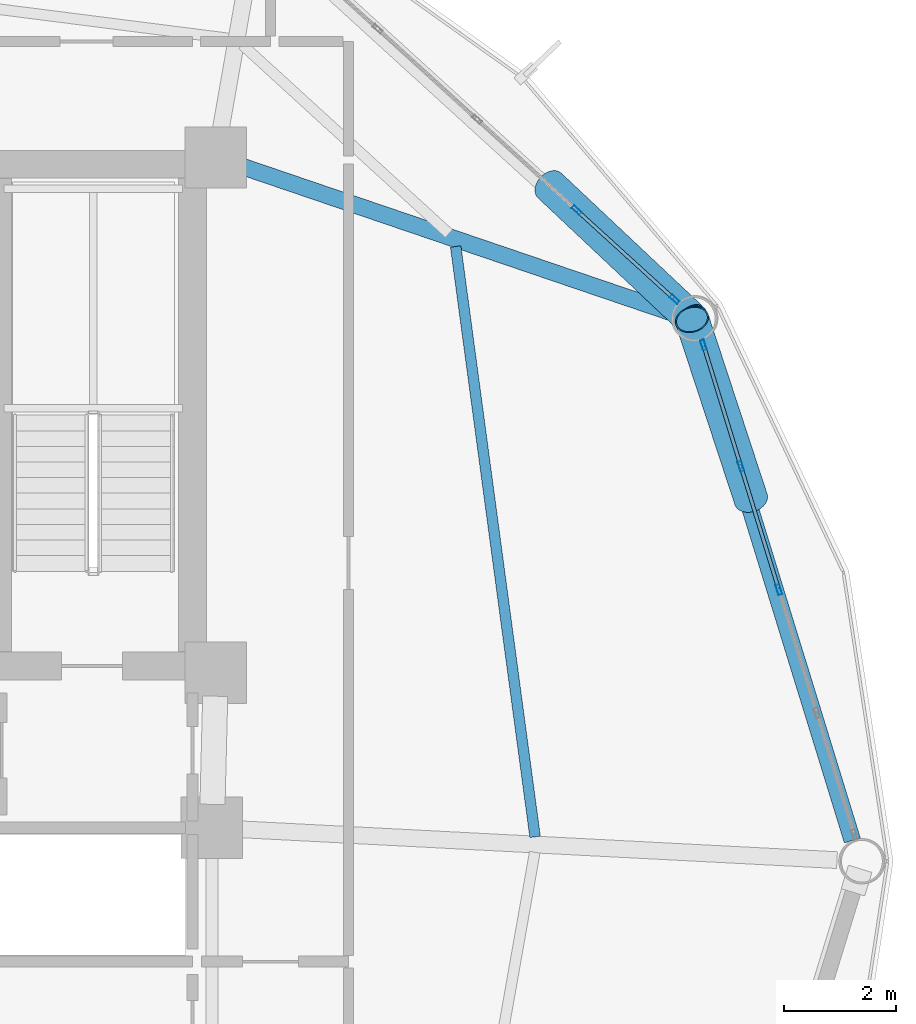
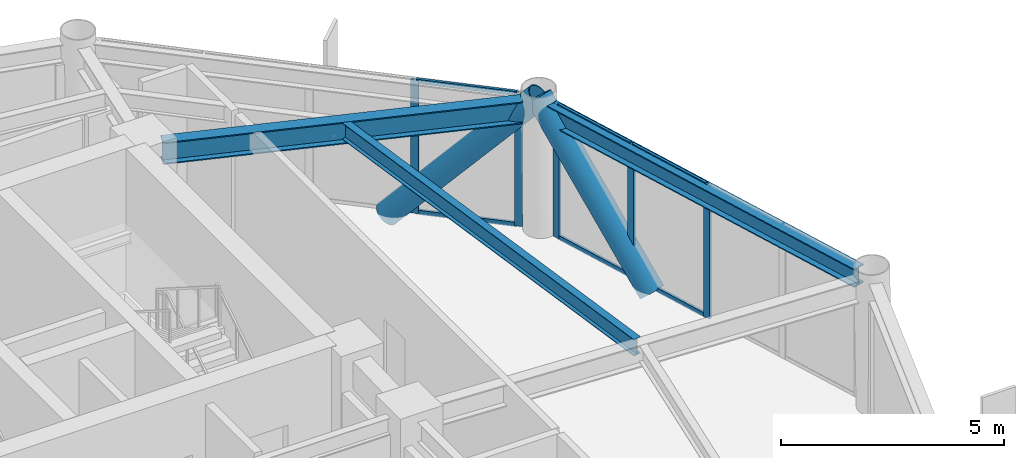
# One storey, part 13 of 23: 13 members, 3 beams, 2 elements without a shape of their own.
"""IFC4 building model written with IfcOpenShell, lengths in metres."""

from ifc_helpers import new_model, si_unit, direction, frame, origin, origin_2d, place, context, subcontext, project, spatial, hollow_rectangle, hollow_circle, i_section, extrude, material, layer, layer_set, material_profile, profile_set, type_object, element, aggregate, save


model = new_model("IFC4")

# Units and contexts
model_context = context("Model", 3, precision=1e-05, world=origin(), true_north=direction((0.0, 1.0)))
body_context = subcontext(model_context, "Body", "Model", "MODEL_VIEW")
ifc_project = project(units=[si_unit("LENGTHUNIT", "METRE"), si_unit("AREAUNIT", "SQUARE_METRE"), si_unit("VOLUMEUNIT", "CUBIC_METRE"), si_unit("PLANEANGLEUNIT", "RADIAN"), si_unit("MASSUNIT", "GRAM", prefix="KILO")], contexts=[model_context])

# Site, building, storey
site_placement = place(None, origin())
site = spatial("IfcSite", under=ifc_project, at=site_placement, CompositionType="ELEMENT")
building_placement = place(site_placement, origin())
building = spatial("IfcBuilding", under=site, at=building_placement, Name="Varnakorn Sky Granary", CompositionType="ELEMENT")
storey_placement = place(building_placement, frame((0.0, 0.0, 107.10009765625)))
storey = spatial("IfcBuildingStorey", under=building, at=storey_placement, Name="L26", CompositionType="ELEMENT", Elevation=107.10009765625)

# Beams
ifc_material_1 = material(Name="Steel S355JR", Category="steel")
ifc_material_profile_1 = material_profile(ifc_material_1, i_section(OverallWidth=0.300048828125, OverallDepth=0.60009765625, WebThickness=0.015380859375, FlangeThickness=0.030029296875, at=origin_2d()), Name="HE 600 B")
ifc_profile_set_1 = profile_set([ifc_material_profile_1], Name="Steel S355JR")
beam_type_1 = type_object("IfcBeamType", Name="BM-RAD-Z2", PredefinedType="BEAM", material=ifc_profile_set_1)
beam_1_placement = place(storey_placement, frame((8.817626953125, 12.484619140625, 3.33984375), z_axis=(0.946702018358, -0.322110677311, 0.0), x_axis=(0.322110677311, 0.946702018358, 0.0)))
element("IfcBeam", 1, at=beam_1_placement, inside=storey, type_object=beam_type_1, Name="Radial Floor Girder RG02 L26", PredefinedType="BEAM", context=body_context, shape_type="SweptSolid", body=[
    extrude(i_section(OverallWidth=0.300048828125, OverallDepth=0.60009765625, WebThickness=0.015380859375, FlangeThickness=0.030029296875, at=origin_2d()), origin(), (0.0, 0.0, 1.0), 8.20849609375),
])
ifc_material_profile_2 = material_profile(ifc_material_1, i_section(OverallWidth=0.18994140625, OverallDepth=0.449951171875, WebThickness=0.009521484375, FlangeThickness=0.0146484375, at=origin_2d()), Name="IPE 450")
ifc_profile_set_2 = profile_set([ifc_material_profile_2], Name="Steel S355JR")
beam_type_2 = type_object("IfcBeamType", Name="BM-SEC-Z2", PredefinedType="BEAM", material=ifc_profile_set_2)
beam_2_placement = place(storey_placement, frame((14.1455078125, 0.43798828125, 3.414794921875), z_axis=(-0.133301487825, 0.991075533622, 0.0), x_axis=(-0.991075533622, -0.133301487825, 0.0)))
element("IfcBeam", 2, at=beam_2_placement, inside=storey, type_object=beam_type_2, Name="Secondary Floor Chord Beam MSB01 L26", PredefinedType="BEAM", context=body_context, shape_type="SweptSolid", body=[
    extrude(i_section(OverallWidth=0.18994140625, OverallDepth=0.449951171875, WebThickness=0.009521484375, FlangeThickness=0.0146484375, at=origin_2d()), origin(), (0.0, 0.0, 1.0), 10.68115234375),
])
ifc_material_profile_3 = material_profile(ifc_material_1, i_section(OverallWidth=0.300048828125, OverallDepth=0.5, WebThickness=0.014404296875, FlangeThickness=0.028076171875, at=origin_2d()), Name="HE 500 B")
ifc_profile_set_3 = profile_set([ifc_material_profile_3], Name="Steel S355JR")
beam_type_3 = type_object("IfcBeamType", Name="BM-SPD-Z2", PredefinedType="SPANDREL", material=ifc_profile_set_3)
beam_3_placement = place(storey_placement, frame((19.834716796875, 0.374267578125, 3.389892578125), z_axis=(-0.29422848577, 0.955735108784, 0.0), x_axis=(-0.955735108784, -0.29422848577, 0.0)))
element("IfcBeam", 3, at=beam_3_placement, inside=storey, type_object=beam_type_3, Name="Perimeter Spandrel Ring Beam RB01 L26", PredefinedType="SPANDREL", context=body_context, shape_type="SweptSolid", body=[
    extrude(i_section(OverallWidth=0.300048828125, OverallDepth=0.5, WebThickness=0.014404296875, FlangeThickness=0.028076171875, at=origin_2d()), origin(), (0.0, 0.0, 1.0), 9.38134765625),
])

# Curtain wall, members
ifc_material_2 = material(Name="Anodised Bronze Aluminium Alloy 6063-T6", Category="aluminium")
ifc_layer = layer(ifc_material_2, 0.179931640625, Name="Anodised Bronze Aluminium Alloy 6063-T6")
ifc_layer_set = layer_set([ifc_layer], Name="Anodised Bronze Aluminium Alloy 6063-T6")
curtain_wall_type = type_object("IfcCurtainWallType", Name="CW-FRM-2", PredefinedType="USERDEFINED", material=ifc_layer_set)
curtain_wall_1_placement = place(storey_placement, origin())
curtain_wall_1 = element("IfcCurtainWall", 4, at=curtain_wall_1_placement, inside=storey, type_object=curtain_wall_type, Name="Unitised Curtain Wall CW4 CW-L26-B01", ObjectType="CURTAIN WALL", PredefinedType="USERDEFINED")
ifc_material_profile_4 = material_profile(ifc_material_2, hollow_rectangle(XDim=0.070068359375, YDim=0.18505859375, WallThickness=0.00390625, at=origin_2d()), Name="ALU MULL 70x185")
ifc_profile_set_4 = profile_set([ifc_material_profile_4], Name="Anodised Bronze Aluminium Alloy 6063-T6")
member_type_1 = type_object("IfcMemberType", Name="CW-FRM-2-MULL", PredefinedType="MULLION", material=ifc_profile_set_4)
member_1_placement = place(storey_placement, frame((17.1650390625, 9.25927734375, 0.0), z_axis=(0.0, 0.0, 1.0), x_axis=(0.955691611808, 0.294369738798, 0.0)))
member_1 = element("IfcMember", 5, at=member_1_placement, type_object=member_type_1, Name="CW4 mullion 1", PredefinedType="MULLION", context=body_context, shape_type="SweptSolid", body=[
    extrude(hollow_rectangle(XDim=0.070068359375, YDim=0.18505859375, WallThickness=0.00390625, at=origin_2d()), origin(), (0.0, 0.0, 1.0), 3.639892578125),
])
member_2_placement = place(storey_placement, frame((17.8359375, 7.0810546875, 0.0), z_axis=(0.0, 0.0, 1.0), x_axis=(0.955691611808, 0.294369738798, 0.0)))
member_2 = element("IfcMember", 6, at=member_2_placement, type_object=member_type_1, Name="CW4 mullion 2", PredefinedType="MULLION", context=body_context, shape_type="SweptSolid", body=[
    extrude(hollow_rectangle(XDim=0.070068359375, YDim=0.18505859375, WallThickness=0.00390625, at=origin_2d()), origin(), (0.0, 0.0, 1.0), 3.639892578125),
])
member_3_placement = place(storey_placement, frame((18.51708984375, 4.869140625, 0.0), z_axis=(0.0, 0.0, 1.0), x_axis=(0.955691611808, 0.294369738798, 0.0)))
member_3 = element("IfcMember", 7, at=member_3_placement, type_object=member_type_1, Name="CW4 mullion 3", PredefinedType="MULLION", context=body_context, shape_type="SweptSolid", body=[
    extrude(hollow_rectangle(XDim=0.070068359375, YDim=0.18505859375, WallThickness=0.00390625, at=origin_2d()), origin(), (0.0, 0.0, 1.0), 3.639892578125),
])

curtain_wall_2_placement = place(storey_placement, origin())
curtain_wall_2 = element("IfcCurtainWall", 8, at=curtain_wall_2_placement, inside=storey, type_object=curtain_wall_type, Name="Unitised Curtain Wall CW4 CW-L26-B02", ObjectType="CURTAIN WALL", PredefinedType="USERDEFINED")
member_4_placement = place(storey_placement, frame((14.888427734375, 11.677734375, 0.0), z_axis=(0.0, 0.0, 1.0), x_axis=(0.673414398116, 0.73926520844, 0.0)))
member_4 = element("IfcMember", 9, at=member_4_placement, type_object=member_type_1, Name="CW4 mullion 4", PredefinedType="MULLION", context=body_context, shape_type="SweptSolid", body=[
    extrude(hollow_rectangle(XDim=0.070068359375, YDim=0.18505859375, WallThickness=0.00390625, at=origin_2d()), origin(), (0.0, 0.0, 1.0), 3.639892578125),
])
member_5_placement = place(storey_placement, frame((16.646728515625, 10.076171875, 0.0), z_axis=(0.0, 0.0, 1.0), x_axis=(0.673414398116, 0.73926520844, 0.0)))
member_5 = element("IfcMember", 10, at=member_5_placement, type_object=member_type_1, Name="CW4 mullion 5", PredefinedType="MULLION", context=body_context, shape_type="SweptSolid", body=[
    extrude(hollow_rectangle(XDim=0.070068359375, YDim=0.18505859375, WallThickness=0.00390625, at=origin_2d()), origin(), (0.0, 0.0, 1.0), 3.639892578125),
])

# Member
ifc_material_profile_5 = material_profile(ifc_material_2, hollow_rectangle(XDim=0.06494140625, YDim=0.1201171875, WallThickness=0.00341796875, at=origin_2d()), Name="ALU TRAN 65x120")
ifc_profile_set_5 = profile_set([ifc_material_profile_5], Name="Anodised Bronze Aluminium Alloy 6063-T6")
member_type_2 = type_object("IfcMemberType", Name="CW-FRM-2-TRAN", PredefinedType="USERDEFINED", material=ifc_profile_set_5)
member_6_placement = place(storey_placement, frame((17.17529296875, 9.225830078125, 0.032470703125), z_axis=(0.294396453703, -0.955683382741, 0.0), x_axis=(0.955683382741, 0.294396453703, 0.0)))
member_6 = element("IfcMember", 11, at=member_6_placement, type_object=member_type_2, Name="CW4 transom 1.1", ObjectType="TRANSOM", PredefinedType="USERDEFINED", context=body_context, shape_type="SweptSolid", body=[
    extrude(hollow_rectangle(XDim=0.06494140625, YDim=0.1201171875, WallThickness=0.00341796875, at=origin_2d()), origin(), (0.0, 0.0, 1.0), 2.209228515625),
])

member_7_placement = place(storey_placement, frame((17.17529296875, 9.225830078125, 3.607421875), z_axis=(0.294396453703, -0.955683382741, 0.0), x_axis=(0.955683382741, 0.294396453703, 0.0)))
member_7 = element("IfcMember", 12, at=member_7_placement, type_object=member_type_2, Name="CW4 transom 1.2", ObjectType="TRANSOM", PredefinedType="USERDEFINED", context=body_context, shape_type="SweptSolid", body=[
    extrude(hollow_rectangle(XDim=0.06494140625, YDim=0.1201171875, WallThickness=0.00341796875, at=origin_2d()), origin(), (0.0, 0.0, 1.0), 2.209228515625),
])

member_8_placement = place(storey_placement, frame((17.84619140625, 7.047607421875, 0.032470703125), z_axis=(0.294345722526, -0.95569900891, 0.0), x_axis=(0.95569900891, 0.294345722526, 0.0)))
member_8 = element("IfcMember", 13, at=member_8_placement, type_object=member_type_2, Name="CW4 transom 2.1", ObjectType="TRANSOM", PredefinedType="USERDEFINED", context=body_context, shape_type="SweptSolid", body=[
    extrude(hollow_rectangle(XDim=0.06494140625, YDim=0.1201171875, WallThickness=0.00341796875, at=origin_2d()), origin(), (0.0, 0.0, 1.0), 2.244384765625),
])

member_9_placement = place(storey_placement, frame((17.84619140625, 7.047607421875, 3.607421875), z_axis=(0.294345722526, -0.95569900891, 0.0), x_axis=(0.95569900891, 0.294345722526, 0.0)))
member_9 = element("IfcMember", 14, at=member_9_placement, type_object=member_type_2, Name="CW4 transom 2.2", ObjectType="TRANSOM", PredefinedType="USERDEFINED", context=body_context, shape_type="SweptSolid", body=[
    extrude(hollow_rectangle(XDim=0.06494140625, YDim=0.1201171875, WallThickness=0.00341796875, at=origin_2d()), origin(), (0.0, 0.0, 1.0), 2.244384765625),
])

aggregate(curtain_wall_1, [member_1, member_2, member_3, member_6, member_7, member_8, member_9])

member_10_placement = place(storey_placement, frame((14.914306640625, 11.654296875, 0.032470703125), z_axis=(0.739284086407, -0.673393673556, 0.0), x_axis=(0.673393673556, 0.739284086407, 0.0)))
member_10 = element("IfcMember", 15, at=member_10_placement, type_object=member_type_2, Name="CW4 transom 4.1", ObjectType="TRANSOM", PredefinedType="USERDEFINED", context=body_context, shape_type="SweptSolid", body=[
    extrude(hollow_rectangle(XDim=0.06494140625, YDim=0.1201171875, WallThickness=0.00341796875, at=origin_2d()), origin(), (0.0, 0.0, 1.0), 2.308349609375),
])

member_11_placement = place(storey_placement, frame((14.914306640625, 11.654296875, 3.607421875), z_axis=(0.739284086407, -0.673393673556, 0.0), x_axis=(0.673393673556, 0.739284086407, 0.0)))
member_11 = element("IfcMember", 16, at=member_11_placement, type_object=member_type_2, Name="CW4 transom 4.2", ObjectType="TRANSOM", PredefinedType="USERDEFINED", context=body_context, shape_type="SweptSolid", body=[
    extrude(hollow_rectangle(XDim=0.06494140625, YDim=0.1201171875, WallThickness=0.00341796875, at=origin_2d()), origin(), (0.0, 0.0, 1.0), 2.308349609375),
])

aggregate(curtain_wall_2, [member_4, member_5, member_10, member_11])

# Members
ifc_material_3 = material(Name="Steel S460M", Category="steel")
ifc_material_profile_6 = material_profile(ifc_material_3, hollow_circle(Radius=0.304931640625, WallThickness=0.022216796875, at=origin_2d()), Name="CHS 610x22")
ifc_profile_set_6 = profile_set([ifc_material_profile_6], Name="Steel S460M")
member_type_3 = type_object("IfcMemberType", Name="MB-DIAG-T1", PredefinedType="BRACE", material=ifc_profile_set_6)
member_12_placement = place(storey_placement, frame((18.017333984375, 6.4921875, -0.130126953125), z_axis=(-0.208651927736, 0.635439961741, 0.743424796516), x_axis=(-0.950091807136, -0.311970444134, 0.0)))
element("IfcMember", 17, at=member_12_placement, inside=storey, type_object=member_type_3, Name="Perimeter CHS Diagrid Brace DG01 L26", PredefinedType="BRACE", context=body_context, shape_type="SweptSolid", body=[
    extrude(hollow_circle(Radius=0.304931640625, WallThickness=0.022216796875, at=origin_2d()), origin(), (0.0, 0.0, 1.0), 5.071044921875),
])
member_13_placement = place(storey_placement, frame((14.40869140625, 12.114990234375, -0.130126953125), z_axis=(0.495645683327, -0.466467728388, 0.732627610025), x_axis=(0.685347304338, 0.728216363753, 0.0)))
element("IfcMember", 18, at=member_13_placement, inside=storey, type_object=member_type_3, Name="Perimeter CHS Diagrid Brace DG02 L26", PredefinedType="BRACE", context=body_context, shape_type="SweptSolid", body=[
    extrude(hollow_circle(Radius=0.304931640625, WallThickness=0.022216796875, at=origin_2d()), origin(), (0.0, 0.0, 1.0), 5.14599609375),
])

save(model, "model.ifc")
